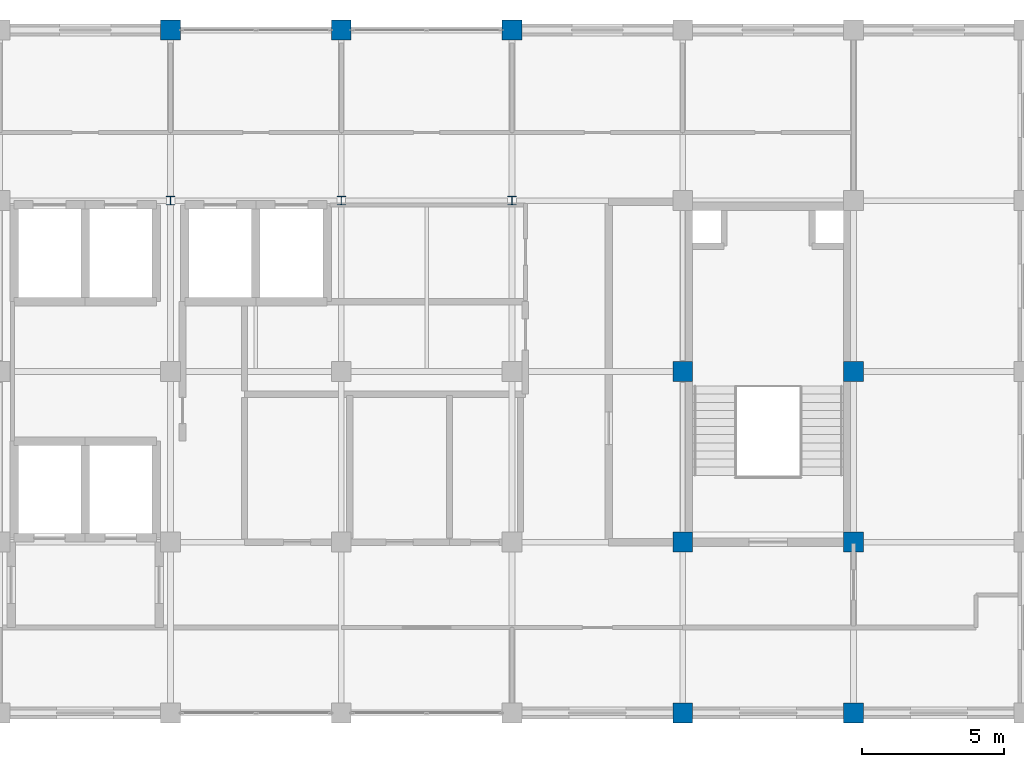
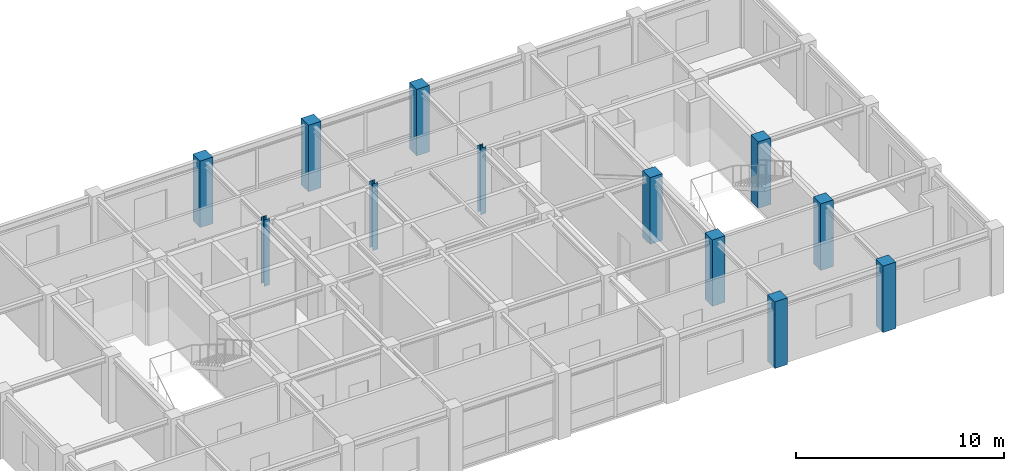
# One storey, part 2 of 11: 12 columns.
"""IFC4 building model written with IfcOpenShell, lengths in metres."""

from ifc_helpers import new_model, si_unit, direction, frame, origin, origin_2d, place, context, subcontext, project, spatial, rectangle, i_section, extrude, material, material_profile, profile_set, type_object, element, save


model = new_model("IFC4")

# Units and contexts
model_context = context("Model", 3, precision=1e-05, world=origin(), true_north=direction((0.0, 1.0)))
body_context = subcontext(model_context, "Body", "Model", "MODEL_VIEW")
ifc_project = project(units=[si_unit("LENGTHUNIT", "METRE"), si_unit("AREAUNIT", "SQUARE_METRE"), si_unit("VOLUMEUNIT", "CUBIC_METRE"), si_unit("PLANEANGLEUNIT", "RADIAN"), si_unit("MASSUNIT", "GRAM", prefix="KILO")], contexts=[model_context])

# Site, building, storey
site_placement = place(None, origin())
site = spatial("IfcSite", under=ifc_project, at=site_placement, CompositionType="ELEMENT")
building_placement = place(site_placement, origin())
building = spatial("IfcBuilding", under=site, at=building_placement, Name="Zlatovratsky Civic Hall", CompositionType="ELEMENT")
storey_placement = place(building_placement, frame((0.0, 0.0, 60.0)))
storey = spatial("IfcBuildingStorey", under=building, at=storey_placement, Name="L15", CompositionType="ELEMENT", Elevation=60.0)

# Columns
ifc_material_1 = material(Name="Concrete C35/45 (B40)", Category="concrete")
ifc_material_profile_1 = material_profile(ifc_material_1, rectangle(XDim=0.699951171875, YDim=0.699951171875, at=origin_2d()), Name="RC 700x700")
ifc_profile_set_1 = profile_set([ifc_material_profile_1], Name="Concrete C35/45 (B40)")
column_type_1 = type_object("IfcColumnType", Name="Col_CorePier_RC700", PredefinedType="COLUMN", material=ifc_profile_set_1)
for number, where, z_axis, x_axis, name in (
    (1, (96.0, 78.0, 0.0), (0.0, 0.0, 1.0), (1.0, 0.0, 0.0), "CL-2561"),
    (2, (102.0, 78.0, 0.0), (0.0, 0.0, 1.0), (1.0, 0.0, 0.0), "CL-2562"),
    (3, (96.0, 84.0, 0.0), (0.0, 0.0, 1.0), (1.0, 0.0, 0.0), "CL-2570"),
    (4, (102.0, 84.0, 0.0), (0.0, 0.0, 1.0), (1.0, 0.0, 0.0), "CL-2571"),
    (5, (96.0, 90.0, 0.0), (0.0, 0.0, 1.0), (1.0, 0.0, 0.0), "CL-2579"),
    (6, (102.0, 90.0, 0.0), (0.0, 0.0, 1.0), (1.0, 0.0, 0.0), "CL-2580"),
    (7, (78.0, 102.0, 0.0), (0.0, 0.0, 1.0), (1.0, 0.0, 0.0), "CL-2594"),
    (8, (84.0, 102.0, 0.0), (0.0, 0.0, 1.0), (1.0, 0.0, 0.0), "CL-2595"),
    (9, (90.0, 102.0, 0.0), (0.0, 0.0, 1.0), (1.0, 0.0, 0.0), "CL-2596"),
):
    element("IfcColumn", number, at=place(storey_placement, frame(where, z_axis=z_axis, x_axis=x_axis)), inside=storey, type_object=column_type_1, Name=name, PredefinedType="COLUMN", context=body_context, shape_type="SweptSolid", body=[
        extrude(rectangle(XDim=0.699951171875, YDim=0.699951171875, at=origin_2d()), origin(), (0.0, 0.0, 1.0), 3.89990234375),
    ])
ifc_material_2 = material(Name="Steel S355", Category="steel")
ifc_material_profile_2 = material_profile(ifc_material_2, i_section(OverallWidth=0.299072265625, OverallDepth=0.2958984375, WebThickness=0.009033203125, FlangeThickness=0.013916015625, FilletRadius=0.01806640625, at=origin_2d()), Name="30K1")
ifc_profile_set_2 = profile_set([ifc_material_profile_2], Name="Steel S355")
column_type_2 = type_object("IfcColumnType", Name="Col_Steel_30K1", PredefinedType="COLUMN", material=ifc_profile_set_2)
for number, where, z_axis, x_axis, name in (
    (10, (78.0, 96.0, 0.0), (0.0, 0.0, 1.0), (1.0, 0.0, 0.0), "CL-2585"),
    (11, (84.0, 96.0, 0.0), (0.0, 0.0, 1.0), (1.0, 0.0, 0.0), "CL-2586"),
    (12, (90.0, 96.0, 0.0), (0.0, 0.0, 1.0), (1.0, 0.0, 0.0), "CL-2587"),
):
    element("IfcColumn", number, at=place(storey_placement, frame(where, z_axis=z_axis, x_axis=x_axis)), inside=storey, type_object=column_type_2, Name=name, PredefinedType="COLUMN", context=body_context, shape_type="SweptSolid", body=[
        extrude(i_section(OverallWidth=0.299072265625, OverallDepth=0.2958984375, WebThickness=0.009033203125, FlangeThickness=0.013916015625, FilletRadius=0.01806640625, at=origin_2d()), origin(), (0.0, 0.0, 1.0), 3.89990234375),
    ])

save(model, "model.ifc")
